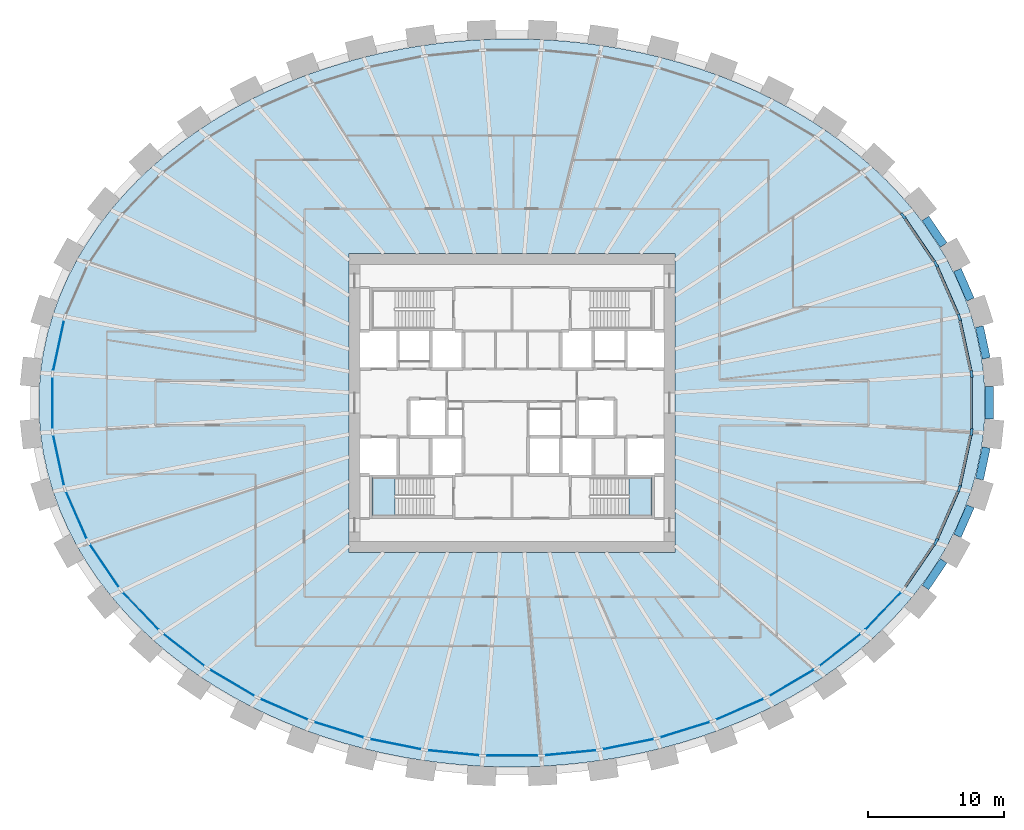
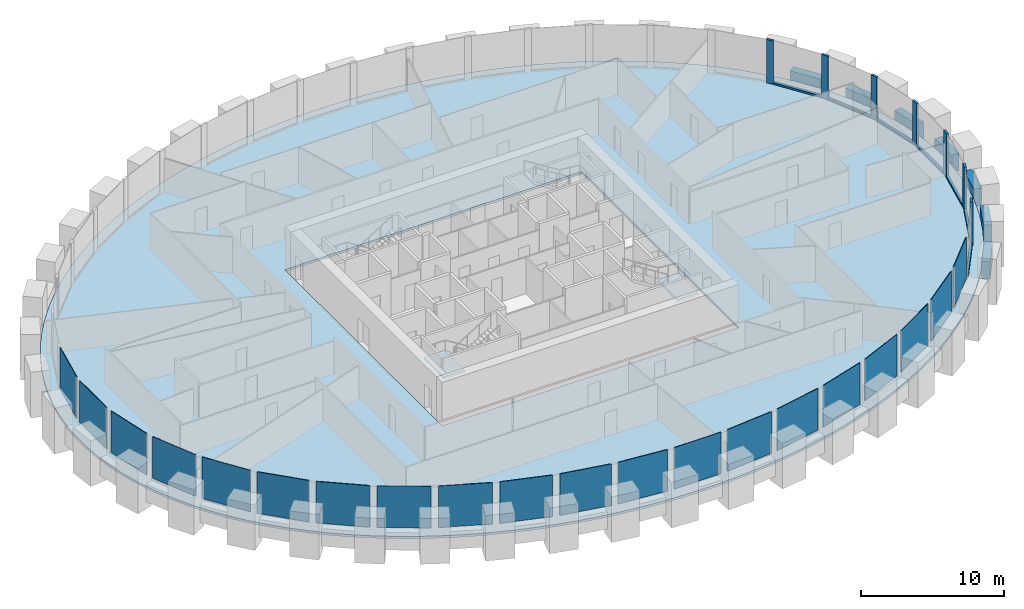
# One storey, part 4 of 11: 20 plates, 14 members, 7 beams, 3 slabs, 3 elements without a shape of their own.
"""IFC4 building model written with IfcOpenShell, lengths in metres."""

from ifc_helpers import new_model, si_unit, direction, frame, origin, origin_2d, place, context, subcontext, project, spatial, polyline, rectangle, outline, extrude, source, transform, mapped, material, layer, layer_set, material_profile, profile_set, type_object, element, aggregate, save


model = new_model("IFC4")

# Units and contexts
model_context = context("Model", 3, precision=1e-05, world=origin(), true_north=direction((0.0, 1.0)))
body_context = subcontext(model_context, "Body", "Model", "MODEL_VIEW")
ifc_project = project(units=[si_unit("LENGTHUNIT", "METRE"), si_unit("AREAUNIT", "SQUARE_METRE"), si_unit("VOLUMEUNIT", "CUBIC_METRE"), si_unit("PLANEANGLEUNIT", "RADIAN"), si_unit("MASSUNIT", "GRAM", prefix="KILO")], contexts=[model_context])

# Site, building, storey
site_placement = place(None, origin())
site = spatial("IfcSite", under=ifc_project, at=site_placement, CompositionType="ELEMENT")
building_placement = place(site_placement, origin())
building = spatial("IfcBuilding", under=site, at=building_placement, Name="Embergate Tower", CompositionType="ELEMENT")
storey_placement = place(building_placement, frame((0.0, 0.0, 219.0)))
storey = spatial("IfcBuildingStorey", under=building, at=storey_placement, Name="L50", CompositionType="ELEMENT", Elevation=219.0)

# Beams
ifc_material_1 = material(Name="Concrete C60", Category="concrete")
ifc_material_profile_1 = material_profile(ifc_material_1, rectangle(XDim=0.60009765625, YDim=1.5, at=origin_2d()), Name="RC 600x1500")
ifc_profile_set_1 = profile_set([ifc_material_profile_1], Name="Concrete C60")
beam_type = type_object("IfcBeamType", Name="Spandrel beam RC 600x1500 C60", PredefinedType="BEAM", material=ifc_profile_set_1)
shared_shape_1 = source(origin(), body_context, "Body", "SweptSolid", [
    extrude(rectangle(XDim=0.60009765625, YDim=1.5, at=origin_2d()), origin(), (0.0, 0.0, 1.0), 2.3896484375),
])
for number, where, z_axis, x_axis, name in (
    (1, (34.93896484375, 3.284912109375, 0.0), (-0.21045693854, 0.977603128586, 0.0), (-0.977603128586, -0.21045693854, 0.0), "SPN-L50-00"),
    (2, (34.43603515625, -5.62109375, 0.0), (0.21045693854, 0.977603128586, 0.0), (-0.977603128586, 0.21045693854, 0.0), "SPN-L50-42"),
):
    element("IfcBeam", number, at=place(storey_placement, frame(where, z_axis=z_axis, x_axis=x_axis)), inside=storey, type_object=beam_type, Name=name, PredefinedType="BEAM", context=body_context, shape_type="MappedRepresentation", body=[
        mapped(shared_shape_1, transform((0.0, 0.0, 0.0))),
    ])
shared_shape_2 = source(origin(), body_context, "Body", "SweptSolid", [
    extrude(rectangle(XDim=0.60009765625, YDim=1.5, at=origin_2d()), origin(), (0.0, 0.0, 1.0), 2.3837890625),
])
for number, where, z_axis, x_axis, name in (
    (3, (33.77099609375, 7.613037109375, 0.0), (-0.401876968148, 0.915693672836, 0.0), (-0.915693672836, -0.401876968148, 0.0), "SPN-L50-01"),
    (4, (32.81298828125, -9.7958984375, 0.0), (0.401876968148, 0.915693672836, 0.0), (-0.915693672836, 0.401876968148, 0.0), "SPN-L50-41"),
):
    element("IfcBeam", number, at=place(storey_placement, frame(where, z_axis=z_axis, x_axis=x_axis)), inside=storey, type_object=beam_type, Name=name, PredefinedType="BEAM", context=body_context, shape_type="MappedRepresentation", body=[
        mapped(shared_shape_2, transform((0.0, 0.0, 0.0))),
    ])
shared_shape_3 = source(origin(), body_context, "Body", "SweptSolid", [
    extrude(rectangle(XDim=0.60009765625, YDim=1.5, at=origin_2d()), origin(), (0.0, 0.0, 1.0), 2.379150390625),
])
for number, where, z_axis, x_axis, name in (
    (5, (31.797119140625, 11.633056640625, 0.0), (-0.562467199194, 0.826819599327, 0.0), (-0.826819599327, -0.562467199194, 0.0), "SPN-L50-02"),
    (6, (30.458984375, -13.60009765625, 0.0), (0.562467199194, 0.826819599327, 0.0), (-0.826819599327, 0.562467199194, 0.0), "SPN-L50-40"),
):
    element("IfcBeam", number, at=place(storey_placement, frame(where, z_axis=z_axis, x_axis=x_axis)), inside=storey, type_object=beam_type, Name=name, PredefinedType="BEAM", context=body_context, shape_type="MappedRepresentation", body=[
        mapped(shared_shape_3, transform((0.0, 0.0, 0.0))),
    ])
shared_shape_4 = source(origin(), body_context, "Body", "SweptSolid", [
    extrude(rectangle(XDim=0.60009765625, YDim=1.5, at=origin_2d()), origin(), (0.0, 0.0, 1.0), 2.39208984375),
])
beam_placement = place(storey_placement, frame((35.160888671875, -1.196044921875, 0.0), z_axis=(0.0, 1.0, 0.0), x_axis=(-1.0, 0.0, 0.0)))
element("IfcBeam", 7, at=beam_placement, inside=storey, type_object=beam_type, Name="SPN-L50-43", PredefinedType="BEAM", context=body_context, shape_type="MappedRepresentation", body=[
    mapped(shared_shape_4, transform((0.0, 0.0, 0.0))),
])

# Curtain wall, members
ifc_material_2 = material(Name="Aluminium and glass", Category="aluminium")
curtain_wall_type = type_object("IfcCurtainWallType", Name="Recessed office glazing", PredefinedType="NOTDEFINED", material=ifc_material_2)
curtain_wall_placement = place(storey_placement, origin())
curtain_wall = element("IfcCurtainWall", 8, at=curtain_wall_placement, inside=storey, type_object=curtain_wall_type, Name="Recessed office glazing ring", ObjectType="RECESSED OFFICE GLAZING", PredefinedType="USERDEFINED")
ifc_material_3 = material(Name="Aluminium, thermally broken", Category="aluminium")
ifc_material_profile_2 = material_profile(ifc_material_3, rectangle(XDim=0.179931640625, YDim=0.52001953125, at=origin_2d()), Name="AL 520x180")
ifc_profile_set_2 = profile_set([ifc_material_profile_2], Name="Aluminium, thermally broken")
member_type_1 = type_object("IfcMemberType", Name="Office mullion", PredefinedType="MULLION", material=ifc_profile_set_2)
shared_shape_5 = source(origin(), body_context, "Body", "SweptSolid", [
    extrude(rectangle(XDim=0.179931640625, YDim=0.52001953125, at=origin_2d()), origin(), (0.0, 0.0, 1.0), 3.699951171875),
])
member_1_placement = place(storey_placement, frame((33.851806640625, 2.13330078125, 0.0), z_axis=(0.0, 0.0, 1.0), x_axis=(-0.994384770038, -0.105824992874, 0.0)))
member_1 = element("IfcMember", 9, at=member_1_placement, type_object=member_type_1, Name="CW mullion 1", PredefinedType="MULLION", context=body_context, shape_type="MappedRepresentation", body=[
    mapped(shared_shape_5, transform((0.0, 0.0, 0.0))),
])
member_2_placement = place(storey_placement, frame((32.953369140625, 6.307373046875, 0.0), z_axis=(0.0, 0.0, 1.0), x_axis=(-0.951497261031, -0.307657215503, 0.0)))
member_2 = element("IfcMember", 10, at=member_2_placement, type_object=member_type_1, Name="CW mullion 2", PredefinedType="MULLION", context=body_context, shape_type="MappedRepresentation", body=[
    mapped(shared_shape_5, transform((0.0, 0.0, 0.0))),
])
member_3_placement = place(storey_placement, frame((31.23583984375, 10.2236328125, 0.0), z_axis=(0.0, 0.0, 1.0), x_axis=(-0.875001050883, -0.484121018914, 0.0)))
member_3 = element("IfcMember", 11, at=member_3_placement, type_object=member_type_1, Name="CW mullion 3", PredefinedType="MULLION", context=body_context, shape_type="MappedRepresentation", body=[
    mapped(shared_shape_5, transform((0.0, 0.0, 0.0))),
])
member_4_placement = place(storey_placement, frame((28.826171875, 13.76708984375, 0.0), z_axis=(0.0, 0.0, 1.0), x_axis=(-0.777872564355, -0.628422050555, 0.0)))
member_4 = element("IfcMember", 12, at=member_4_placement, type_object=member_type_1, Name="CW mullion 4", PredefinedType="MULLION", context=body_context, shape_type="MappedRepresentation", body=[
    mapped(shared_shape_5, transform((0.0, 0.0, 0.0))),
])
member_5_placement = place(storey_placement, frame((31.23583984375, -10.2236328125, 0.0), z_axis=(0.0, 0.0, 1.0), x_axis=(-0.875001050883, 0.484121018914, 0.0)))
member_5 = element("IfcMember", 13, at=member_5_placement, type_object=member_type_1, Name="CW mullion 42", PredefinedType="MULLION", context=body_context, shape_type="MappedRepresentation", body=[
    mapped(shared_shape_5, transform((0.0, 0.0, 0.0))),
])
member_6_placement = place(storey_placement, frame((32.953369140625, -6.307373046875, 0.0), z_axis=(0.0, 0.0, 1.0), x_axis=(-0.951497261031, 0.307657215503, 0.0)))
member_6 = element("IfcMember", 14, at=member_6_placement, type_object=member_type_1, Name="CW mullion 43", PredefinedType="MULLION", context=body_context, shape_type="MappedRepresentation", body=[
    mapped(shared_shape_5, transform((0.0, 0.0, 0.0))),
])
member_7_placement = place(storey_placement, frame((33.851806640625, -2.13330078125, 0.0), z_axis=(0.0, 0.0, 1.0), x_axis=(-0.994384770038, 0.105824992874, 0.0)))
member_7 = element("IfcMember", 15, at=member_7_placement, type_object=member_type_1, Name="CW mullion 44", PredefinedType="MULLION", context=body_context, shape_type="MappedRepresentation", body=[
    mapped(shared_shape_5, transform((0.0, 0.0, 0.0))),
])
ifc_material_profile_3 = material_profile(ifc_material_3, rectangle(XDim=0.179931640625, YDim=0.14990234375, at=origin_2d()), Name="AL 150x180")
ifc_profile_set_3 = profile_set([ifc_material_profile_3], Name="Aluminium, thermally broken")
member_type_2 = type_object("IfcMemberType", Name="Office sill transom", PredefinedType="USERDEFINED", material=ifc_profile_set_3)
shared_shape_6 = source(origin(), body_context, "Body", "SweptSolid", [
    extrude(rectangle(XDim=0.179931640625, YDim=0.14990234375, at=origin_2d()), origin(), (0.0, 0.0, 1.0), 3.74951171875),
])
member_8_placement = place(storey_placement, frame((33.797119140625, 2.3876953125, 0.074951171875), z_axis=(-0.210445024694, 0.977605693305, 0.0), x_axis=(-0.977605693305, -0.210445024694, 0.0)))
member_8 = element("IfcMember", 16, at=member_8_placement, type_object=member_type_2, Name="CW transom 1.1", ObjectType="TRANSOM", PredefinedType="USERDEFINED", context=body_context, shape_type="MappedRepresentation", body=[
    mapped(shared_shape_6, transform((0.0, 0.0, 0.0))),
])
member_9_placement = place(storey_placement, frame((33.008056640625, -6.05322265625, 0.074951171875), z_axis=(0.210445024694, 0.977605693305, 0.0), x_axis=(-0.977605693305, 0.210445024694, 0.0)))
member_9 = element("IfcMember", 17, at=member_9_placement, type_object=member_type_2, Name="CW transom 43.1", ObjectType="TRANSOM", PredefinedType="USERDEFINED", context=body_context, shape_type="MappedRepresentation", body=[
    mapped(shared_shape_6, transform((0.0, 0.0, 0.0))),
])
shared_shape_7 = source(origin(), body_context, "Body", "SweptSolid", [
    extrude(rectangle(XDim=0.179931640625, YDim=0.14990234375, at=origin_2d()), origin(), (0.0, 0.0, 1.0), 3.756591796875),
])
member_10_placement = place(storey_placement, frame((32.848876953125, 6.54541015625, 0.074951171875), z_axis=(-0.401647151286, 0.9157944998, 0.0), x_axis=(-0.9157944998, -0.401647151286, 0.0)))
member_10 = element("IfcMember", 18, at=member_10_placement, type_object=member_type_2, Name="CW transom 2.1", ObjectType="TRANSOM", PredefinedType="USERDEFINED", context=body_context, shape_type="MappedRepresentation", body=[
    mapped(shared_shape_7, transform((0.0, 0.0, 0.0))),
])
member_11_placement = place(storey_placement, frame((31.340087890625, -9.985595703125, 0.074951171875), z_axis=(0.401647151286, 0.9157944998, 0.0), x_axis=(-0.9157944998, 0.401647151286, 0.0)))
member_11 = element("IfcMember", 19, at=member_11_placement, type_object=member_type_2, Name="CW transom 42.1", ObjectType="TRANSOM", PredefinedType="USERDEFINED", context=body_context, shape_type="MappedRepresentation", body=[
    mapped(shared_shape_7, transform((0.0, 0.0, 0.0))),
])
shared_shape_8 = source(origin(), body_context, "Body", "SweptSolid", [
    extrude(rectangle(XDim=0.179931640625, YDim=0.14990234375, at=origin_2d()), origin(), (0.0, 0.0, 1.0), 3.764892578125),
])
member_12_placement = place(storey_placement, frame((31.089599609375, 10.438720703125, 0.074951171875), z_axis=(-0.562338399761, 0.826907204077, 0.0), x_axis=(-0.826907204077, -0.562338399761, 0.0)))
member_12 = element("IfcMember", 20, at=member_12_placement, type_object=member_type_2, Name="CW transom 3.1", ObjectType="TRANSOM", PredefinedType="USERDEFINED", context=body_context, shape_type="MappedRepresentation", body=[
    mapped(shared_shape_8, transform((0.0, 0.0, 0.0))),
])
member_13_placement = place(storey_placement, frame((28.972412109375, -13.552001953125, 0.074951171875), z_axis=(0.562338399761, 0.826907204077, 0.0), x_axis=(-0.826907204077, 0.562338399761, 0.0)))
member_13 = element("IfcMember", 21, at=member_13_placement, type_object=member_type_2, Name="CW transom 41.1", ObjectType="TRANSOM", PredefinedType="USERDEFINED", context=body_context, shape_type="MappedRepresentation", body=[
    mapped(shared_shape_8, transform((0.0, 0.0, 0.0))),
])
shared_shape_9 = source(origin(), body_context, "Body", "SweptSolid", [
    extrude(rectangle(XDim=0.179931640625, YDim=0.14990234375, at=origin_2d()), origin(), (0.0, 0.0, 1.0), 3.74658203125),
])
member_14_placement = place(storey_placement, frame((33.851806640625, -1.873291015625, 0.074951171875), z_axis=(0.0, 1.0, 0.0), x_axis=(-1.0, 0.0, 0.0)))
member_14 = element("IfcMember", 22, at=member_14_placement, type_object=member_type_2, Name="CW transom 44.1", ObjectType="TRANSOM", PredefinedType="USERDEFINED", context=body_context, shape_type="MappedRepresentation", body=[
    mapped(shared_shape_9, transform((0.0, 0.0, 0.0))),
])

# Slab
ifc_material_4 = material(Name="Concrete C40", Category="concrete")
ifc_layer_1 = layer(ifc_material_4, 0.199951171875)
ifc_layer_set_1 = layer_set([ifc_layer_1], Name="Concrete C40")
slab_type_1 = type_object("IfcSlabType", Name="Composite floor slab C40 200", PredefinedType="FLOOR", material=ifc_layer_set_1)
shared_shape_10 = source(origin(), body_context, "Body", "SweptSolid", [
    extrude(outline(polyline([(0.0, 0.0), (1.47412109375, 0.0), (2.947021484375, 0.048095703125), (4.421142578125, 0.14404296875), (5.887939453125, 0.2880859375), (7.345947265625, 0.47998046875), (8.80712890625, 0.72216796875), (10.251953125, 1.011962890625), (11.68115234375, 1.35009765625), (13.112060546875, 1.739990234375), (14.51904296875, 2.17919921875), (15.901123046875, 2.6640625), (17.2841796875, 3.2080078125), (18.635009765625, 3.798095703125), (19.949951171875, 4.43505859375), (21.26416015625, 5.135986328125), (22.53515625, 5.883056640625), (23.760009765625, 6.675048828125), (24.97705078125, 7.5380859375), (26.13916015625, 8.445068359375), (27.2431640625, 9.39306640625), (28.328125, 10.420166015625), (29.344970703125, 11.487060546875), (30.2919921875, 12.591064453125), (31.201171875, 13.775146484375), (32.029052734375, 14.9931640625), (32.776123046875, 16.2431640625), (33.4599609375, 17.566162109375), (34.051025390625, 18.9150390625), (34.549072265625, 20.287109375), (34.9599609375, 21.711181640625), (35.27001953125, 23.151123046875), (35.47802734375, 24.60205078125), (35.5830078125, 26.072998046875), (35.5830078125, 27.545166015625), (35.47802734375, 29.01611328125), (35.27001953125, 30.467041015625), (34.9599609375, 31.906982421875), (34.549072265625, 33.3310546875), (34.051025390625, 34.703125), (33.4599609375, 36.052001953125), (32.776123046875, 37.375), (32.029052734375, 38.625), (31.201171875, 39.843017578125), (30.2919921875, 41.027099609375), (29.344970703125, 42.131103515625), (28.328125, 43.197998046875), (27.2431640625, 44.22509765625), (26.13916015625, 45.173095703125), (24.97705078125, 46.080078125), (23.760009765625, 46.943115234375), (22.53515625, 47.735107421875), (21.26416015625, 48.482177734375), (19.949951171875, 49.18310546875), (18.635009765625, 49.820068359375), (17.2841796875, 50.41015625), (15.901123046875, 50.9541015625), (14.51904296875, 51.43896484375), (13.112060546875, 51.878173828125), (11.68115234375, 52.26806640625), (10.251953125, 52.606201171875), (8.80712890625, 52.89599609375), (7.345947265625, 53.13818359375), (5.887939453125, 53.330078125), (4.421142578125, 53.47412109375), (2.947021484375, 53.570068359375), (1.47412109375, 53.6181640625), (0.0, 53.6181640625), (-1.472900390625, 53.570068359375), (-2.947021484375, 53.47412109375), (-4.413818359375, 53.330078125), (-5.871826171875, 53.13818359375), (-7.3330078125, 52.89599609375), (-8.77783203125, 52.606201171875), (-10.20703125, 52.26806640625), (-11.637939453125, 51.878173828125), (-13.044921875, 51.43896484375), (-14.427001953125, 50.9541015625), (-15.81005859375, 50.41015625), (-17.160888671875, 49.820068359375), (-18.475830078125, 49.18310546875), (-19.7900390625, 48.482177734375), (-21.06103515625, 47.735107421875), (-22.285888671875, 46.943115234375), (-23.5029296875, 46.080078125), (-24.6650390625, 45.173095703125), (-25.76904296875, 44.22509765625), (-26.85400390625, 43.197998046875), (-27.870849609375, 42.131103515625), (-28.81787109375, 41.027099609375), (-29.72705078125, 39.843017578125), (-30.554931640625, 38.625), (-31.302001953125, 37.375), (-31.98583984375, 36.052001953125), (-32.576904296875, 34.703125), (-33.074951171875, 33.3310546875), (-33.48583984375, 31.906982421875), (-33.7958984375, 30.467041015625), (-34.00390625, 29.01611328125), (-34.10888671875, 27.545166015625), (-34.10888671875, 26.072998046875), (-34.00390625, 24.60205078125), (-33.7958984375, 23.151123046875), (-33.48583984375, 21.711181640625), (-33.074951171875, 20.287109375), (-32.576904296875, 18.9150390625), (-31.98583984375, 17.566162109375), (-31.302001953125, 16.2431640625), (-30.554931640625, 14.9931640625), (-29.72705078125, 13.775146484375), (-28.81787109375, 12.591064453125), (-27.870849609375, 11.487060546875), (-26.85400390625, 10.420166015625), (-25.76904296875, 9.39306640625), (-24.6650390625, 8.445068359375), (-23.5029296875, 7.5380859375), (-22.285888671875, 6.675048828125), (-21.06103515625, 5.883056640625), (-19.7900390625, 5.135986328125), (-18.475830078125, 4.43505859375), (-17.160888671875, 3.798095703125), (-15.81005859375, 3.2080078125), (-14.427001953125, 2.6640625), (-13.044921875, 2.17919921875), (-11.637939453125, 1.739990234375), (-10.20703125, 1.35009765625), (-8.77783203125, 1.011962890625), (-7.3330078125, 0.72216796875), (-5.871826171875, 0.47998046875), (-4.413818359375, 0.2880859375), (-2.947021484375, 0.14404296875), (-1.472900390625, 0.048095703125), (0.0, 0.0)]), holes=[polyline([(-11.262939453125, 15.80908203125), (-11.262939453125, 37.80908203125), (12.737060546875, 37.80908203125), (12.737060546875, 15.80908203125), (-11.262939453125, 15.80908203125)])]), origin(), (0.0, 0.0, 1.0), 0.199951171875),
])
slab_1_placement = place(storey_placement, frame((-0.737060546875, -26.80908203125, -0.199951171875)))
element("IfcSlab", 23, at=slab_1_placement, inside=storey, type_object=slab_type_1, Name="SLB-L50-00", PredefinedType="FLOOR", context=body_context, shape_type="MappedRepresentation", body=[
    mapped(shared_shape_10, transform((0.0, 0.0, 0.0))),
])

# Plate
ifc_material_5 = material(Name="Triple glazing, low-emissivity coating", Category="glass")
ifc_layer_2 = layer(ifc_material_5, 0.035888671875)
ifc_layer_set_2 = layer_set([ifc_layer_2], Name="Triple glazing, low-emissivity coating")
plate_type = type_object("IfcPlateType", Name="Office glazing unit", PredefinedType="CURTAIN_PANEL", material=ifc_layer_set_2)
shared_shape_11 = source(origin(), body_context, "Body", "SweptSolid", [
    extrude(rectangle(XDim=3.74951171875, YDim=0.035888671875, at=origin_2d()), origin(), (0.0, 0.0, 1.0), 3.550048828125),
])
plate_1_placement = place(storey_placement, frame((-33.402587890625, 4.220458984375, 0.14990234375), z_axis=(0.0, 0.0, 1.0), x_axis=(-0.210396684915, -0.977616097953, 0.0)))
plate_1 = element("IfcPlate", 24, at=plate_1_placement, type_object=plate_type, Name="CW panel 21.1", PredefinedType="CURTAIN_PANEL", context=body_context, shape_type="MappedRepresentation", body=[
    mapped(shared_shape_11, transform((0.0, 0.0, 0.0))),
])

plate_2_placement = place(storey_placement, frame((-33.402587890625, -4.220458984375, 0.14990234375), z_axis=(0.0, 0.0, 1.0), x_axis=(0.210396684915, -0.977616097953, 0.0)))
plate_2 = element("IfcPlate", 25, at=plate_2_placement, type_object=plate_type, Name="CW panel 23.1", PredefinedType="CURTAIN_PANEL", context=body_context, shape_type="MappedRepresentation", body=[
    mapped(shared_shape_11, transform((0.0, 0.0, 0.0))),
])

shared_shape_12 = source(origin(), body_context, "Body", "SweptSolid", [
    extrude(rectangle(XDim=3.75634765625, YDim=0.035888671875, at=origin_2d()), origin(), (0.0, 0.0, 1.0), 3.550048828125),
])
plate_3_placement = place(storey_placement, frame((-32.094482421875, -8.265625, 0.14990234375), z_axis=(0.0, 0.0, 1.0), x_axis=(0.401648904437, -0.915793730905, 0.0)))
plate_3 = element("IfcPlate", 26, at=plate_3_placement, type_object=plate_type, Name="CW panel 24.1", PredefinedType="CURTAIN_PANEL", context=body_context, shape_type="MappedRepresentation", body=[
    mapped(shared_shape_12, transform((0.0, 0.0, 0.0))),
])

shared_shape_13 = source(origin(), body_context, "Body", "SweptSolid", [
    extrude(rectangle(XDim=3.76513671875, YDim=0.035888671875, at=origin_2d()), origin(), (0.0, 0.0, 1.0), 3.550048828125),
])
plate_4_placement = place(storey_placement, frame((-30.031005859375, -11.995361328125, 0.14990234375), z_axis=(0.0, 0.0, 1.0), x_axis=(0.562338855469, -0.826906894172, 0.0)))
plate_4 = element("IfcPlate", 27, at=plate_4_placement, type_object=plate_type, Name="CW panel 25.1", PredefinedType="CURTAIN_PANEL", context=body_context, shape_type="MappedRepresentation", body=[
    mapped(shared_shape_13, transform((0.0, 0.0, 0.0))),
])

shared_shape_14 = source(origin(), body_context, "Body", "SweptSolid", [
    extrude(rectangle(XDim=3.773681640625, YDim=0.035888671875, at=origin_2d()), origin(), (0.0, 0.0, 1.0), 3.550048828125),
])
plate_5_placement = place(storey_placement, frame((-27.344482421875, -15.32080078125, 0.14990234375), z_axis=(0.0, 0.0, 1.0), x_axis=(0.690129995266, -0.723685421737, 0.0)))
plate_5 = element("IfcPlate", 28, at=plate_5_placement, type_object=plate_type, Name="CW panel 26.1", PredefinedType="CURTAIN_PANEL", context=body_context, shape_type="MappedRepresentation", body=[
    mapped(shared_shape_14, transform((0.0, 0.0, 0.0))),
])

plate_6_placement = place(storey_placement, frame((27.344482421875, -15.32080078125, 0.14990234375), z_axis=(0.0, 0.0, 1.0), x_axis=(0.690129995266, 0.723685421737, 0.0)))
plate_6 = element("IfcPlate", 29, at=plate_6_placement, type_object=plate_type, Name="CW panel 40.1", PredefinedType="CURTAIN_PANEL", context=body_context, shape_type="MappedRepresentation", body=[
    mapped(shared_shape_14, transform((0.0, 0.0, 0.0))),
])

shared_shape_15 = source(origin(), body_context, "Body", "SweptSolid", [
    extrude(rectangle(XDim=3.781005859375, YDim=0.035888671875, at=origin_2d()), origin(), (0.0, 0.0, 1.0), 3.550048828125),
])
plate_7_placement = place(storey_placement, frame((-24.16748046875, -18.197509765625, 0.14990234375), z_axis=(0.0, 0.0, 1.0), x_axis=(0.788316897722, -0.615269427784, 0.0)))
plate_7 = element("IfcPlate", 30, at=plate_7_placement, type_object=plate_type, Name="CW panel 27.1", PredefinedType="CURTAIN_PANEL", context=body_context, shape_type="MappedRepresentation", body=[
    mapped(shared_shape_15, transform((0.0, 0.0, 0.0))),
])

plate_8_placement = place(storey_placement, frame((24.16748046875, -18.197509765625, 0.14990234375), z_axis=(0.0, 0.0, 1.0), x_axis=(0.788316897722, 0.615269427784, 0.0)))
plate_8 = element("IfcPlate", 31, at=plate_8_placement, type_object=plate_type, Name="CW panel 39.1", PredefinedType="CURTAIN_PANEL", context=body_context, shape_type="MappedRepresentation", body=[
    mapped(shared_shape_15, transform((0.0, 0.0, 0.0))),
])

shared_shape_16 = source(origin(), body_context, "Body", "SweptSolid", [
    extrude(rectangle(XDim=3.787109375, YDim=0.035888671875, at=origin_2d()), origin(), (0.0, 0.0, 1.0), 3.550048828125),
])
plate_9_placement = place(storey_placement, frame((-20.61572265625, -20.6123046875, 0.14990234375), z_axis=(0.0, 0.0, 1.0), x_axis=(0.862050514108, -0.506822366443, 0.0)))
plate_9 = element("IfcPlate", 32, at=plate_9_placement, type_object=plate_type, Name="CW panel 28.1", PredefinedType="CURTAIN_PANEL", context=body_context, shape_type="MappedRepresentation", body=[
    mapped(shared_shape_16, transform((0.0, 0.0, 0.0))),
])

plate_10_placement = place(storey_placement, frame((20.61572265625, -20.6123046875, 0.14990234375), z_axis=(0.0, 0.0, 1.0), x_axis=(0.862050514108, 0.506822366443, 0.0)))
plate_10 = element("IfcPlate", 33, at=plate_10_placement, type_object=plate_type, Name="CW panel 38.1", PredefinedType="CURTAIN_PANEL", context=body_context, shape_type="MappedRepresentation", body=[
    mapped(shared_shape_16, transform((0.0, 0.0, 0.0))),
])

shared_shape_17 = source(origin(), body_context, "Body", "SweptSolid", [
    extrude(rectangle(XDim=3.79150390625, YDim=0.035888671875, at=origin_2d()), origin(), (0.0, 0.0, 1.0), 3.550048828125),
])
plate_11_placement = place(storey_placement, frame((-16.7841796875, -22.5673828125, 0.14990234375), z_axis=(0.0, 0.0, 1.0), x_axis=(0.91623411399, -0.400643293168, 0.0)))
plate_11 = element("IfcPlate", 34, at=plate_11_placement, type_object=plate_type, Name="CW panel 29.1", PredefinedType="CURTAIN_PANEL", context=body_context, shape_type="MappedRepresentation", body=[
    mapped(shared_shape_17, transform((0.0, 0.0, 0.0))),
])

plate_12_placement = place(storey_placement, frame((16.7841796875, -22.5673828125, 0.14990234375), z_axis=(0.0, 0.0, 1.0), x_axis=(0.91623411399, 0.400643293168, 0.0)))
plate_12 = element("IfcPlate", 35, at=plate_12_placement, type_object=plate_type, Name="CW panel 37.1", PredefinedType="CURTAIN_PANEL", context=body_context, shape_type="MappedRepresentation", body=[
    mapped(shared_shape_17, transform((0.0, 0.0, 0.0))),
])

shared_shape_18 = source(origin(), body_context, "Body", "SweptSolid", [
    extrude(rectangle(XDim=3.794921875, YDim=0.035888671875, at=origin_2d()), origin(), (0.0, 0.0, 1.0), 3.550048828125),
])
plate_13_placement = place(storey_placement, frame((-12.749267578125, -24.072509765625, 0.14990234375), z_axis=(0.0, 0.0, 1.0), x_axis=(0.954770660302, -0.297343212847, 0.0)))
plate_13 = element("IfcPlate", 36, at=plate_13_placement, type_object=plate_type, Name="CW panel 30.1", PredefinedType="CURTAIN_PANEL", context=body_context, shape_type="MappedRepresentation", body=[
    mapped(shared_shape_18, transform((0.0, 0.0, 0.0))),
])

plate_14_placement = place(storey_placement, frame((12.749267578125, -24.072509765625, 0.14990234375), z_axis=(0.0, 0.0, 1.0), x_axis=(0.954770660302, 0.297343212847, 0.0)))
plate_14 = element("IfcPlate", 37, at=plate_14_placement, type_object=plate_type, Name="CW panel 36.1", PredefinedType="CURTAIN_PANEL", context=body_context, shape_type="MappedRepresentation", body=[
    mapped(shared_shape_18, transform((0.0, 0.0, 0.0))),
])

shared_shape_19 = source(origin(), body_context, "Body", "SweptSolid", [
    extrude(rectangle(XDim=3.796875, YDim=0.035888671875, at=origin_2d()), origin(), (0.0, 0.0, 1.0), 3.550048828125),
])
plate_15_placement = place(storey_placement, frame((-8.572998046875, -25.138427734375, 0.14990234375), z_axis=(0.0, 0.0, 1.0), x_axis=(0.980475221003, -0.196642673395, 0.0)))
plate_15 = element("IfcPlate", 38, at=plate_15_placement, type_object=plate_type, Name="CW panel 31.1", PredefinedType="CURTAIN_PANEL", context=body_context, shape_type="MappedRepresentation", body=[
    mapped(shared_shape_19, transform((0.0, 0.0, 0.0))),
])

plate_16_placement = place(storey_placement, frame((8.572998046875, -25.138427734375, 0.14990234375), z_axis=(0.0, 0.0, 1.0), x_axis=(0.980475221003, 0.196642673395, 0.0)))
plate_16 = element("IfcPlate", 39, at=plate_16_placement, type_object=plate_type, Name="CW panel 35.1", PredefinedType="CURTAIN_PANEL", context=body_context, shape_type="MappedRepresentation", body=[
    mapped(shared_shape_19, transform((0.0, 0.0, 0.0))),
])

shared_shape_20 = source(origin(), body_context, "Body", "SweptSolid", [
    extrude(rectangle(XDim=3.798095703125, YDim=0.035888671875, at=origin_2d()), origin(), (0.0, 0.0, 1.0), 3.550048828125),
])
plate_17_placement = place(storey_placement, frame((-4.30810546875, -25.774169921875, 0.14990234375), z_axis=(0.0, 0.0, 1.0), x_axis=(0.995203014042, -0.097831287645, 0.0)))
plate_17 = element("IfcPlate", 40, at=plate_17_placement, type_object=plate_type, Name="CW panel 32.1", PredefinedType="CURTAIN_PANEL", context=body_context, shape_type="MappedRepresentation", body=[
    mapped(shared_shape_20, transform((0.0, 0.0, 0.0))),
])

plate_18_placement = place(storey_placement, frame((4.30810546875, -25.774169921875, 0.14990234375), z_axis=(0.0, 0.0, 1.0), x_axis=(0.995203014042, 0.097831287645, 0.0)))
plate_18 = element("IfcPlate", 41, at=plate_18_placement, type_object=plate_type, Name="CW panel 34.1", PredefinedType="CURTAIN_PANEL", context=body_context, shape_type="MappedRepresentation", body=[
    mapped(shared_shape_20, transform((0.0, 0.0, 0.0))),
])

shared_shape_21 = source(origin(), body_context, "Body", "SweptSolid", [
    extrude(rectangle(XDim=3.798583984375, YDim=0.035888671875, at=origin_2d()), origin(), (0.0, 0.0, 1.0), 3.550048828125),
])
plate_19_placement = place(storey_placement, frame((0.0, -25.9853515625, 0.14990234375), z_axis=(0.0, 0.0, 1.0), x_axis=(1.0, 0.0, 0.0)))
plate_19 = element("IfcPlate", 42, at=plate_19_placement, type_object=plate_type, Name="CW panel 33.1", PredefinedType="CURTAIN_PANEL", context=body_context, shape_type="MappedRepresentation", body=[
    mapped(shared_shape_21, transform((0.0, 0.0, 0.0))),
])

shared_shape_22 = source(origin(), body_context, "Body", "SweptSolid", [
    extrude(rectangle(XDim=3.746826171875, YDim=0.035888671875, at=origin_2d()), origin(), (0.0, 0.0, 1.0), 3.550048828125),
])
plate_20_placement = place(storey_placement, frame((-33.851806640625, 0.0, 0.14990234375), z_axis=(0.0, 0.0, 1.0), x_axis=(0.0, -1.0, 0.0)))
plate_20 = element("IfcPlate", 43, at=plate_20_placement, type_object=plate_type, Name="CW panel 22.1", PredefinedType="CURTAIN_PANEL", context=body_context, shape_type="MappedRepresentation", body=[
    mapped(shared_shape_22, transform((0.0, 0.0, 0.0))),
])

aggregate(curtain_wall, [member_1, member_2, member_3, member_4, member_5, member_6, member_7, member_8, member_10, member_12, plate_1, plate_20, plate_2, plate_3, plate_4, plate_5, plate_7, plate_9, plate_11, plate_13, plate_15, plate_17, plate_19, plate_18, plate_16, plate_14, plate_12, plate_10, plate_8, plate_6, member_13, member_11, member_9, member_14])

# Stair, slab
ifc_material_6 = material(Name="Exit stair")
stair_type = type_object("IfcStairType", Name="Exit stair", PredefinedType="HALF_TURN_STAIR", material=ifc_material_6)
stair_1_placement = place(storey_placement, origin())
stair_1 = element("IfcStair", 44, at=stair_1_placement, inside=storey, type_object=stair_type, Name="L50 Exit stair 3", PredefinedType="HALF_TURN_STAIR")
ifc_layer_3 = layer(ifc_material_4, 0.199951171875)
ifc_layer_set_3 = layer_set([ifc_layer_3], Name="Concrete C40")
slab_type_2 = type_object("IfcSlabType", Name="Stair landing reinforced concrete", PredefinedType="LANDING", material=ifc_layer_set_3)
shared_shape_23 = source(origin(), body_context, "Body", "SweptSolid", [
    extrude(outline(polyline([(0.0, 0.0), (1.68994140625, 0.0), (1.68994140625, 2.800048828125), (0.0, 2.800048828125), (0.0, 0.0)])), origin(), (0.0, 0.0, 1.0), 0.199951171875),
])
slab_2_placement = place(storey_placement, frame((-10.300048828125, -8.300048828125, 1.75)))
slab_2 = element("IfcSlab", 45, at=slab_2_placement, type_object=slab_type_2, Name="ST3 landing 1", PredefinedType="LANDING", context=body_context, shape_type="MappedRepresentation", body=[
    mapped(shared_shape_23, transform((0.0, 0.0, 0.0))),
])
aggregate(stair_1, [slab_2])

stair_2_placement = place(storey_placement, origin())
stair_2 = element("IfcStair", 46, at=stair_2_placement, inside=storey, type_object=stair_type, Name="L50 Exit stair 4", PredefinedType="HALF_TURN_STAIR")
slab_3_placement = place(storey_placement, frame((8.610107421875, -8.300048828125, 1.75)))
slab_3 = element("IfcSlab", 47, at=slab_3_placement, type_object=slab_type_2, Name="ST4 landing 1", PredefinedType="LANDING", context=body_context, shape_type="MappedRepresentation", body=[
    mapped(shared_shape_23, transform((0.0, 0.0, 0.0))),
])
aggregate(stair_2, [slab_3])

save(model, "model.ifc")
